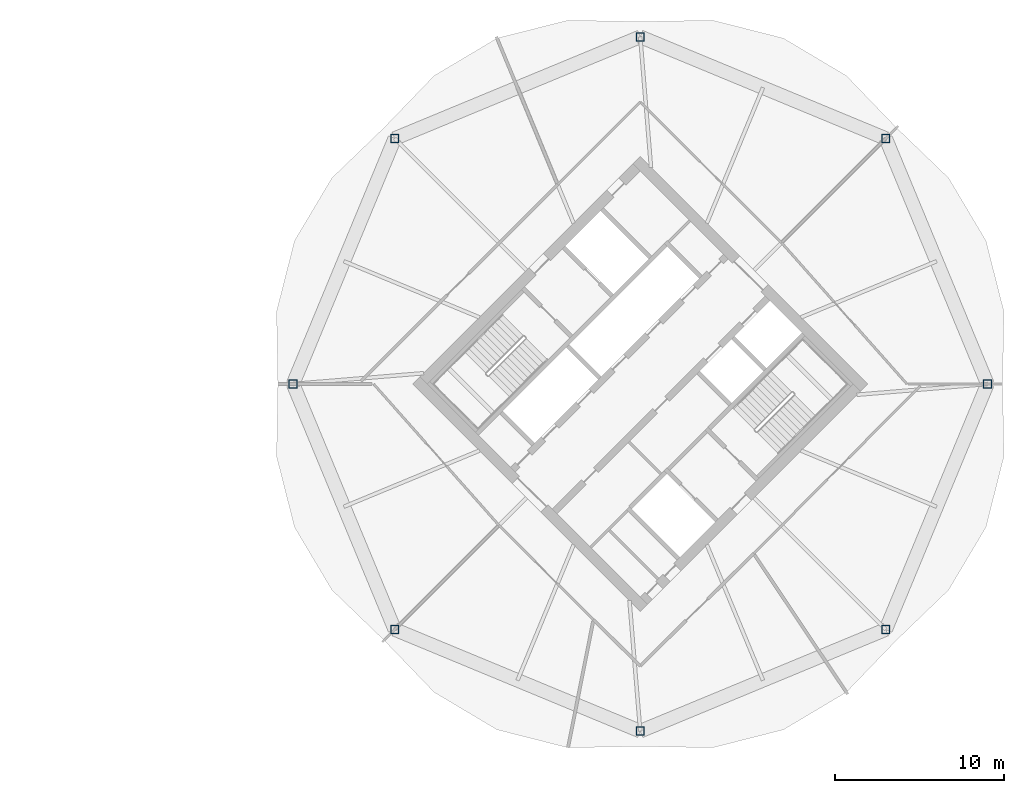
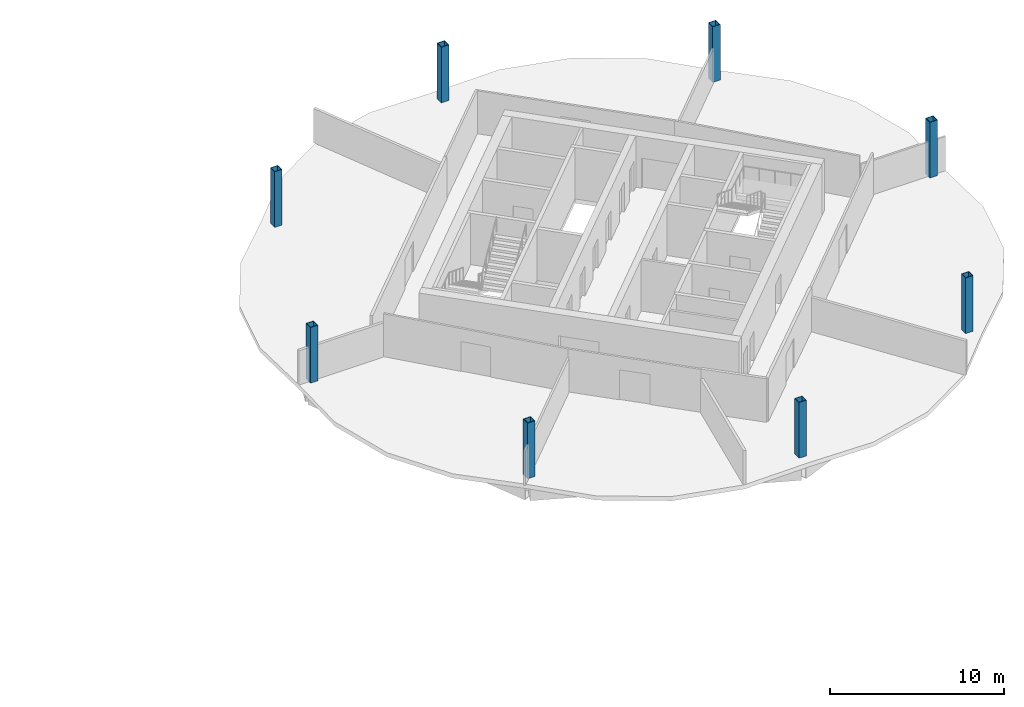
# One storey, part 2 of 9: 8 columns.
"""IFC4 building model written with IfcOpenShell, lengths in metres."""

from ifc_helpers import new_model, si_unit, direction, frame, origin, origin_2d, place, context, subcontext, project, spatial, hollow_rectangle, extrude, material, material_profile, profile_set, type_object, element, save


model = new_model("IFC4")

# Units and contexts
model_context = context("Model", 3, precision=1e-05, world=origin(), true_north=direction((0.0, 1.0)))
body_context = subcontext(model_context, "Body", "Model", "MODEL_VIEW")
ifc_project = project(units=[si_unit("LENGTHUNIT", "METRE"), si_unit("AREAUNIT", "SQUARE_METRE"), si_unit("VOLUMEUNIT", "CUBIC_METRE"), si_unit("PLANEANGLEUNIT", "RADIAN"), si_unit("MASSUNIT", "GRAM", prefix="KILO")], contexts=[model_context])

# Site, building, storey
site_placement = place(None, origin())
site = spatial("IfcSite", under=ifc_project, at=site_placement, CompositionType="ELEMENT")
building_placement = place(site_placement, origin())
building = spatial("IfcBuilding", under=site, at=building_placement, Name="Ogive Gate Towers", CompositionType="ELEMENT")
storey_placement = place(building_placement, frame((0.0, 0.0, 192.89990234375)))
storey = spatial("IfcBuildingStorey", under=building, at=storey_placement, Name="L46", CompositionType="ELEMENT", Elevation=192.89990234375)

# Columns
ifc_material = material(Name="Steel SM460", Category="steel")
ifc_material_profile = material_profile(ifc_material, hollow_rectangle(XDim=0.5, YDim=0.5, WallThickness=0.030029296875, at=origin_2d()), Name="BX 500x500x30")
ifc_profile_set = profile_set([ifc_material_profile], Name="Steel SM460")
column_type = type_object("IfcColumnType", Name="Perimeter post BX 500x500x30", PredefinedType="COLUMN", material=ifc_profile_set)
for number, where, z_axis, x_axis, name in (
    (1, (56.52001953125, 0.0, 0.0), (0.0, 0.0, 1.0), (1.0, 0.0, 0.0), "T2/L46/SCL001"),
    (2, (50.509765625, 14.509765625, 0.0), (0.0, 0.0, 1.0), (1.0, 0.0, 0.0), "T2/L46/SCL002"),
    (3, (36.0, 20.52001953125, 0.0), (0.0, 0.0, 1.0), (1.0, 0.0, 0.0), "T2/L46/SCL003"),
    (4, (21.490234375, 14.509765625, 0.0), (0.0, 0.0, 1.0), (1.0, 0.0, 0.0), "T2/L46/SCL004"),
    (5, (15.47998046875, 0.0, 0.0), (0.0, 0.0, 1.0), (1.0, 0.0, 0.0), "T2/L46/SCL005"),
    (6, (21.490234375, -14.509765625, 0.0), (0.0, 0.0, 1.0), (1.0, 0.0, 0.0), "T2/L46/SCL006"),
    (7, (36.0, -20.52001953125, 0.0), (0.0, 0.0, 1.0), (1.0, 0.0, 0.0), "T2/L46/SCL007"),
    (8, (50.509765625, -14.509765625, 0.0), (0.0, 0.0, 1.0), (1.0, 0.0, 0.0), "T2/L46/SCL008"),
):
    element("IfcColumn", number, at=place(storey_placement, frame(where, z_axis=z_axis, x_axis=x_axis)), inside=storey, type_object=column_type, Name=name, PredefinedType="COLUMN", context=body_context, shape_type="SweptSolid", body=[
        extrude(hollow_rectangle(XDim=0.5, YDim=0.5, WallThickness=0.030029296875, at=origin_2d()), origin(), (0.0, 0.0, 1.0), 3.900146484375),
    ])

save(model, "model.ifc")
